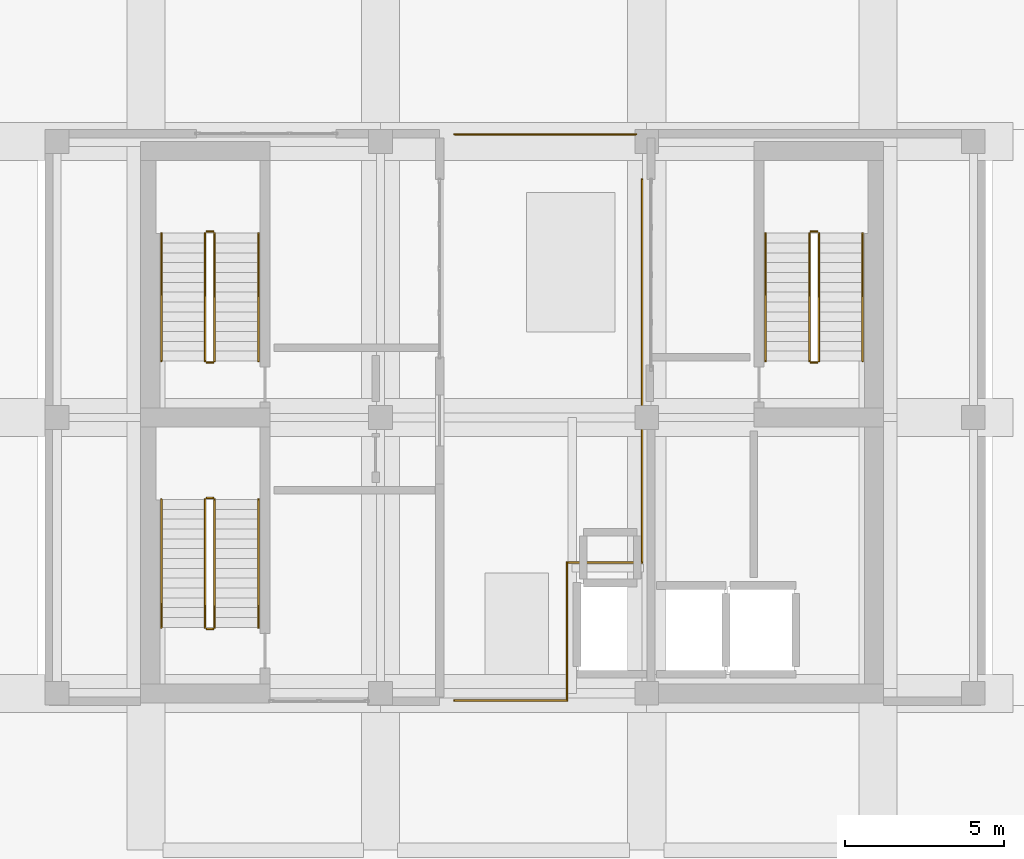
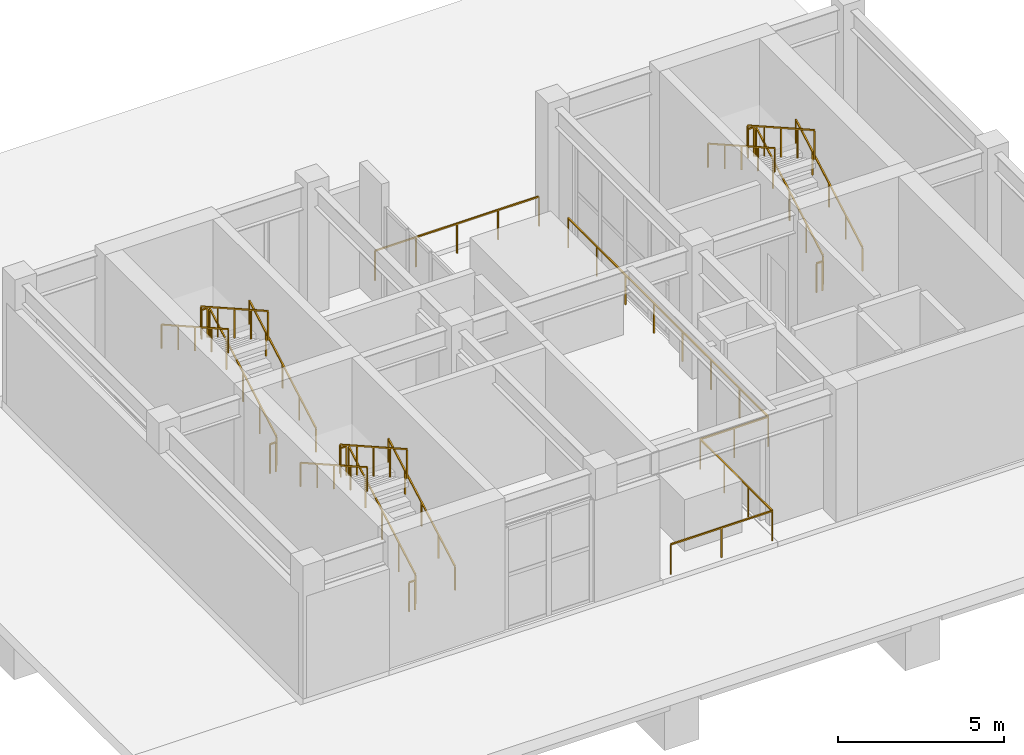
# One storey, part 15 of 16: 21 railings.
"""IFC4 building model written with IfcOpenShell, lengths in metres."""

from ifc_helpers import new_model, si_unit, direction, frame, origin, origin_2d, place, context, subcontext, project, spatial, rectangle, extrude, material, type_object, element, save


model = new_model("IFC4")

# Units and contexts
model_context = context("Model", 3, precision=1e-05, world=origin(), true_north=direction((0.0, 1.0)))
body_context = subcontext(model_context, "Body", "Model", "MODEL_VIEW")
ifc_project = project(units=[si_unit("LENGTHUNIT", "METRE"), si_unit("AREAUNIT", "SQUARE_METRE"), si_unit("VOLUMEUNIT", "CUBIC_METRE"), si_unit("PLANEANGLEUNIT", "RADIAN"), si_unit("MASSUNIT", "GRAM", prefix="KILO")], contexts=[model_context])

# Site, building, storey
site_placement = place(None, origin())
site = spatial("IfcSite", under=ifc_project, at=site_placement, CompositionType="ELEMENT")
building_placement = place(site_placement, origin())
building = spatial("IfcBuilding", under=site, at=building_placement, Name="Solanera Arch Residences", CompositionType="ELEMENT")
storey_placement = place(building_placement, frame((0.0, 0.0, 278.080078125)))
storey = spatial("IfcBuildingStorey", under=building, at=storey_placement, Name="L80", CompositionType="ELEMENT", Elevation=278.080078125)

# Railings
ifc_material_1 = material(Name="Steel S355 (ASTM A992 / A572 Grade 50)", Category="steel")
railing_type_1 = type_object("IfcRailingType", Name="Balustrade Railing BL-1100", PredefinedType="BALUSTRADE", material=ifc_material_1)
railing_1_placement = place(storey_placement, frame((23.139892578125, 21.77001953125, 0.0)))
element("IfcRailing", 1, at=railing_1_placement, inside=storey, type_object=railing_type_1, Name="L80 Cleft Lookout South Guardrail 1", PredefinedType="BALUSTRADE", context=body_context, shape_type="SweptSolid", body=[
    extrude(rectangle(XDim=0.048095703125, YDim=0.048095703125, at=origin_2d()), frame((0.0, 0.0, 1.09619140625), z_axis=(1.0, 0.0, 0.0), x_axis=(0.0, 1.0, 0.0)), (0.0, 0.0, 1.0), 3.5400390625),
    extrude(rectangle(XDim=0.0419921875, YDim=0.0419921875, at=origin_2d()), origin(), (0.0, 0.0, 1.0), 1.072021484375),
    extrude(rectangle(XDim=0.0419921875, YDim=0.0419921875, at=origin_2d()), frame((1.77001953125, 0.0, 0.0)), (0.0, 0.0, 1.0), 1.072021484375),
    extrude(rectangle(XDim=0.0419921875, YDim=0.0419921875, at=origin_2d()), frame((3.5400390625, 0.0, 0.0)), (0.0, 0.0, 1.0), 1.072021484375),
])
railing_2_placement = place(storey_placement, frame((23.139892578125, 39.6298828125, 0.0)))
element("IfcRailing", 2, at=railing_2_placement, inside=storey, type_object=railing_type_1, Name="L80 Cleft Lookout North Guardrail 1", PredefinedType="BALUSTRADE", context=body_context, shape_type="SweptSolid", body=[
    extrude(rectangle(XDim=0.048095703125, YDim=0.048095703125, at=origin_2d()), frame((0.0, 0.0, 1.09619140625), z_axis=(1.0, 0.0, 0.0), x_axis=(0.0, 1.0, 0.0)), (0.0, 0.0, 1.0), 5.72021484375),
    extrude(rectangle(XDim=0.0419921875, YDim=0.0419921875, at=origin_2d()), origin(), (0.0, 0.0, 1.0), 1.072021484375),
    extrude(rectangle(XDim=0.0419921875, YDim=0.0419921875, at=origin_2d()), frame((1.43017578125, 0.0, 0.0)), (0.0, 0.0, 1.0), 1.072021484375),
    extrude(rectangle(XDim=0.0419921875, YDim=0.0419921875, at=origin_2d()), frame((2.860107421875, 0.0, 0.0)), (0.0, 0.0, 1.0), 1.072021484375),
    extrude(rectangle(XDim=0.0419921875, YDim=0.0419921875, at=origin_2d()), frame((4.2900390625, 0.0, 0.0)), (0.0, 0.0, 1.0), 1.072021484375),
    extrude(rectangle(XDim=0.0419921875, YDim=0.0419921875, at=origin_2d()), frame((5.72021484375, 0.0, 0.0)), (0.0, 0.0, 1.0), 1.072021484375),
])
railing_3_placement = place(storey_placement, frame((26.679931640625, 21.77001953125, 0.0)))
element("IfcRailing", 3, at=railing_3_placement, inside=storey, type_object=railing_type_1, Name="L80 Cleft Lookout East Guardrail 1", PredefinedType="BALUSTRADE", context=body_context, shape_type="SweptSolid", body=[
    extrude(rectangle(XDim=0.048095703125, YDim=0.048095703125, at=origin_2d()), frame((0.0, 0.0, 1.09619140625), z_axis=(0.0, 1.0, 0.0), x_axis=(-1.0, 0.0, 0.0)), (0.0, 0.0, 1.0), 4.35009765625),
    extrude(rectangle(XDim=0.048095703125, YDim=0.048095703125, at=origin_2d()), frame((0.0, 4.35009765625, 1.09619140625), z_axis=(1.0, 0.0, 0.0), x_axis=(0.0, 1.0, 0.0)), (0.0, 0.0, 1.0), 2.3701171875),
    extrude(rectangle(XDim=0.048095703125, YDim=0.048095703125, at=origin_2d()), frame((2.3701171875, 4.35009765625, 1.09619140625), z_axis=(0.0, 1.0, 0.0), x_axis=(-1.0, 0.0, 0.0)), (0.0, 0.0, 1.0), 12.079833984375),
    extrude(rectangle(XDim=0.0419921875, YDim=0.0419921875, at=origin_2d()), origin(), (0.0, 0.0, 1.0), 1.072021484375),
    extrude(rectangle(XDim=0.0419921875, YDim=0.0419921875, at=origin_2d()), frame((0.0, 1.449951171875, 0.0)), (0.0, 0.0, 1.0), 1.072021484375),
    extrude(rectangle(XDim=0.0419921875, YDim=0.0419921875, at=origin_2d()), frame((0.0, 2.900146484375, 0.0)), (0.0, 0.0, 1.0), 1.072021484375),
    extrude(rectangle(XDim=0.0419921875, YDim=0.0419921875, at=origin_2d()), frame((0.0, 4.35009765625, 0.0)), (0.0, 0.0, 1.0), 1.072021484375),
    extrude(rectangle(XDim=0.0419921875, YDim=0.0419921875, at=origin_2d()), frame((1.18505859375, 4.35009765625, 0.0)), (0.0, 0.0, 1.0), 1.072021484375),
    extrude(rectangle(XDim=0.0419921875, YDim=0.0419921875, at=origin_2d()), frame((2.3701171875, 4.35009765625, 0.0)), (0.0, 0.0, 1.0), 1.072021484375),
    extrude(rectangle(XDim=0.0419921875, YDim=0.0419921875, at=origin_2d()), frame((2.3701171875, 6.07568359375, 0.0)), (0.0, 0.0, 1.0), 1.072021484375),
    extrude(rectangle(XDim=0.0419921875, YDim=0.0419921875, at=origin_2d()), frame((2.3701171875, 7.801513671875, 0.0)), (0.0, 0.0, 1.0), 1.072021484375),
    extrude(rectangle(XDim=0.0419921875, YDim=0.0419921875, at=origin_2d()), frame((2.3701171875, 9.527099609375, 0.0)), (0.0, 0.0, 1.0), 1.072021484375),
    extrude(rectangle(XDim=0.0419921875, YDim=0.0419921875, at=origin_2d()), frame((2.3701171875, 11.2529296875, 0.0)), (0.0, 0.0, 1.0), 1.072021484375),
    extrude(rectangle(XDim=0.0419921875, YDim=0.0419921875, at=origin_2d()), frame((2.3701171875, 12.978515625, 0.0)), (0.0, 0.0, 1.0), 1.072021484375),
    extrude(rectangle(XDim=0.0419921875, YDim=0.0419921875, at=origin_2d()), frame((2.3701171875, 14.704345703125, 0.0)), (0.0, 0.0, 1.0), 1.072021484375),
    extrude(rectangle(XDim=0.0419921875, YDim=0.0419921875, at=origin_2d()), frame((2.3701171875, 16.429931640625, 0.0)), (0.0, 0.0, 1.0), 1.072021484375),
])
ifc_material_2 = material(Name="Steel S355 (ASTM A992 / A572 Grade 50)", Category="steel")
railing_type_2 = type_object("IfcRailingType", Name="Stair Guardrail GR-1100", PredefinedType="GUARDRAIL", material=ifc_material_2)
railing_4_placement = place(storey_placement, frame((15.570068359375, 32.47998046875, 0.159912109375)))
element("IfcRailing", 4, at=railing_4_placement, inside=storey, type_object=railing_type_2, Name="L80 ST-T1 stair guard 1", PredefinedType="GUARDRAIL", context=body_context, shape_type="SweptSolid", body=[
    extrude(rectangle(XDim=0.048095703125, YDim=0.048095703125, at=origin_2d()), frame((0.0, 0.0, 1.076171875), z_axis=(0.0, 0.870834872482, 0.491575655285), x_axis=(-1.0, 0.0, 0.0)), (0.0, 0.0, 1.0), 4.627685546875),
    extrude(rectangle(XDim=0.0419921875, YDim=0.0419921875, at=origin_2d()), origin(), (0.0, 0.0, 1.0), 1.052001953125),
    extrude(rectangle(XDim=0.0419921875, YDim=0.0419921875, at=origin_2d()), frame((0.0, 1.007568359375, 0.56884765625)), (0.0, 0.0, 1.0), 1.052001953125),
    extrude(rectangle(XDim=0.0419921875, YDim=0.0419921875, at=origin_2d()), frame((0.0, 2.01513671875, 1.137451171875)), (0.0, 0.0, 1.0), 1.052001953125),
    extrude(rectangle(XDim=0.0419921875, YDim=0.0419921875, at=origin_2d()), frame((0.0, 3.0224609375, 1.7060546875)), (0.0, 0.0, 1.0), 1.052001953125),
    extrude(rectangle(XDim=0.0419921875, YDim=0.0419921875, at=origin_2d()), frame((0.0, 4.030029296875, 2.27490234375)), (0.0, 0.0, 1.0), 1.052001953125),
])
railing_5_placement = place(storey_placement, frame((15.52001953125, 36.56005859375, 2.434814453125)))
element("IfcRailing", 5, at=railing_5_placement, inside=storey, type_object=railing_type_2, Name="L80 ST-T1 stair guard 2", PredefinedType="GUARDRAIL", context=body_context, shape_type="SweptSolid", body=[
    extrude(rectangle(XDim=0.048095703125, YDim=0.048095703125, at=origin_2d()), frame((0.0, 0.0, 1.076171875), z_axis=(-1.0, 0.0, 0.0), x_axis=(0.0, -1.0, 0.0)), (0.0, 0.0, 1.0), 0.199951171875),
    extrude(rectangle(XDim=0.0419921875, YDim=0.0419921875, at=origin_2d()), origin(), (0.0, 0.0, 1.0), 1.052001953125),
    extrude(rectangle(XDim=0.0419921875, YDim=0.0419921875, at=origin_2d()), frame((-0.199951171875, 0.0, 0.0)), (0.0, 0.0, 1.0), 1.052001953125),
])
railing_6_placement = place(storey_placement, frame((15.27001953125, 36.510009765625, 2.60986328125)))
element("IfcRailing", 6, at=railing_6_placement, inside=storey, type_object=railing_type_2, Name="L80 ST-T1 stair guard 3", PredefinedType="GUARDRAIL", context=body_context, shape_type="SweptSolid", body=[
    extrude(rectangle(XDim=0.048095703125, YDim=0.048095703125, at=origin_2d()), frame((0.0, 0.0, 1.076171875), z_axis=(0.0, -0.870812288514, 0.491615661033), x_axis=(1.0, 0.0, 0.0)), (0.0, 0.0, 1.0), 4.6279296875),
    extrude(rectangle(XDim=0.0419921875, YDim=0.0419921875, at=origin_2d()), origin(), (0.0, 0.0, 1.0), 1.052001953125),
    extrude(rectangle(XDim=0.0419921875, YDim=0.0419921875, at=origin_2d()), frame((0.0, -1.007568359375, 0.56884765625)), (0.0, 0.0, 1.0), 1.052001953125),
    extrude(rectangle(XDim=0.0419921875, YDim=0.0419921875, at=origin_2d()), frame((0.0, -2.01513671875, 1.1376953125)), (0.0, 0.0, 1.0), 1.052001953125),
    extrude(rectangle(XDim=0.0419921875, YDim=0.0419921875, at=origin_2d()), frame((0.0, -3.0224609375, 1.706298828125)), (0.0, 0.0, 1.0), 1.052001953125),
    extrude(rectangle(XDim=0.0419921875, YDim=0.0419921875, at=origin_2d()), frame((0.0, -4.030029296875, 2.275146484375)), (0.0, 0.0, 1.0), 1.052001953125),
])
railing_7_placement = place(storey_placement, frame((15.52001953125, 32.429931640625, -0.01513671875)))
element("IfcRailing", 7, at=railing_7_placement, inside=storey, type_object=railing_type_2, Name="L80 ST-T1 stair guard 4", PredefinedType="GUARDRAIL", context=body_context, shape_type="SweptSolid", body=[
    extrude(rectangle(XDim=0.048095703125, YDim=0.048095703125, at=origin_2d()), frame((0.0, 0.0, 1.076171875), z_axis=(-1.0, 0.0, 0.0), x_axis=(0.0, -1.0, 0.0)), (0.0, 0.0, 1.0), 0.199951171875),
    extrude(rectangle(XDim=0.0419921875, YDim=0.0419921875, at=origin_2d()), origin(), (0.0, 0.0, 1.0), 1.052001953125),
    extrude(rectangle(XDim=0.0419921875, YDim=0.0419921875, at=origin_2d()), frame((-0.199951171875, 0.0, 0.0)), (0.0, 0.0, 1.0), 1.052001953125),
])
railing_8_placement = place(storey_placement, frame((34.6298828125, 32.47998046875, 0.159912109375)))
element("IfcRailing", 8, at=railing_8_placement, inside=storey, type_object=railing_type_2, Name="L80 ST-T2 stair guard 1", PredefinedType="GUARDRAIL", context=body_context, shape_type="SweptSolid", body=[
    extrude(rectangle(XDim=0.048095703125, YDim=0.048095703125, at=origin_2d()), frame((0.0, 0.0, 1.076171875), z_axis=(0.0, 0.870834872482, 0.491575655285), x_axis=(-1.0, 0.0, 0.0)), (0.0, 0.0, 1.0), 4.627685546875),
    extrude(rectangle(XDim=0.0419921875, YDim=0.0419921875, at=origin_2d()), origin(), (0.0, 0.0, 1.0), 1.052001953125),
    extrude(rectangle(XDim=0.0419921875, YDim=0.0419921875, at=origin_2d()), frame((0.0, 1.007568359375, 0.56884765625)), (0.0, 0.0, 1.0), 1.052001953125),
    extrude(rectangle(XDim=0.0419921875, YDim=0.0419921875, at=origin_2d()), frame((0.0, 2.01513671875, 1.137451171875)), (0.0, 0.0, 1.0), 1.052001953125),
    extrude(rectangle(XDim=0.0419921875, YDim=0.0419921875, at=origin_2d()), frame((0.0, 3.0224609375, 1.7060546875)), (0.0, 0.0, 1.0), 1.052001953125),
    extrude(rectangle(XDim=0.0419921875, YDim=0.0419921875, at=origin_2d()), frame((0.0, 4.030029296875, 2.27490234375)), (0.0, 0.0, 1.0), 1.052001953125),
])
railing_9_placement = place(storey_placement, frame((34.580078125, 36.56005859375, 2.434814453125)))
element("IfcRailing", 9, at=railing_9_placement, inside=storey, type_object=railing_type_2, Name="L80 ST-T2 stair guard 2", PredefinedType="GUARDRAIL", context=body_context, shape_type="SweptSolid", body=[
    extrude(rectangle(XDim=0.048095703125, YDim=0.048095703125, at=origin_2d()), frame((0.0, 0.0, 1.076171875), z_axis=(-1.0, 0.0, 0.0), x_axis=(0.0, -1.0, 0.0)), (0.0, 0.0, 1.0), 0.2001953125),
    extrude(rectangle(XDim=0.0419921875, YDim=0.0419921875, at=origin_2d()), origin(), (0.0, 0.0, 1.0), 1.052001953125),
    extrude(rectangle(XDim=0.0419921875, YDim=0.0419921875, at=origin_2d()), frame((-0.2001953125, 0.0, 0.0)), (0.0, 0.0, 1.0), 1.052001953125),
])
railing_10_placement = place(storey_placement, frame((34.330078125, 36.510009765625, 2.60986328125)))
element("IfcRailing", 10, at=railing_10_placement, inside=storey, type_object=railing_type_2, Name="L80 ST-T2 stair guard 3", PredefinedType="GUARDRAIL", context=body_context, shape_type="SweptSolid", body=[
    extrude(rectangle(XDim=0.048095703125, YDim=0.048095703125, at=origin_2d()), frame((0.0, 0.0, 1.076171875), z_axis=(0.0, -0.870812288514, 0.491615661033), x_axis=(1.0, 0.0, 0.0)), (0.0, 0.0, 1.0), 4.6279296875),
    extrude(rectangle(XDim=0.0419921875, YDim=0.0419921875, at=origin_2d()), origin(), (0.0, 0.0, 1.0), 1.052001953125),
    extrude(rectangle(XDim=0.0419921875, YDim=0.0419921875, at=origin_2d()), frame((0.0, -1.007568359375, 0.56884765625)), (0.0, 0.0, 1.0), 1.052001953125),
    extrude(rectangle(XDim=0.0419921875, YDim=0.0419921875, at=origin_2d()), frame((0.0, -2.01513671875, 1.1376953125)), (0.0, 0.0, 1.0), 1.052001953125),
    extrude(rectangle(XDim=0.0419921875, YDim=0.0419921875, at=origin_2d()), frame((0.0, -3.0224609375, 1.706298828125)), (0.0, 0.0, 1.0), 1.052001953125),
    extrude(rectangle(XDim=0.0419921875, YDim=0.0419921875, at=origin_2d()), frame((0.0, -4.030029296875, 2.275146484375)), (0.0, 0.0, 1.0), 1.052001953125),
])
railing_11_placement = place(storey_placement, frame((34.580078125, 32.429931640625, -0.01513671875)))
element("IfcRailing", 11, at=railing_11_placement, inside=storey, type_object=railing_type_2, Name="L80 ST-T2 stair guard 4", PredefinedType="GUARDRAIL", context=body_context, shape_type="SweptSolid", body=[
    extrude(rectangle(XDim=0.048095703125, YDim=0.048095703125, at=origin_2d()), frame((0.0, 0.0, 1.076171875), z_axis=(-1.0, 0.0, 0.0), x_axis=(0.0, -1.0, 0.0)), (0.0, 0.0, 1.0), 0.2001953125),
    extrude(rectangle(XDim=0.0419921875, YDim=0.0419921875, at=origin_2d()), origin(), (0.0, 0.0, 1.0), 1.052001953125),
    extrude(rectangle(XDim=0.0419921875, YDim=0.0419921875, at=origin_2d()), frame((-0.2001953125, 0.0, 0.0)), (0.0, 0.0, 1.0), 1.052001953125),
])
railing_12_placement = place(storey_placement, frame((15.570068359375, 24.080078125, 0.159912109375)))
element("IfcRailing", 12, at=railing_12_placement, inside=storey, type_object=railing_type_2, Name="L80 ST-T3 stair guard 1", PredefinedType="GUARDRAIL", context=body_context, shape_type="SweptSolid", body=[
    extrude(rectangle(XDim=0.048095703125, YDim=0.048095703125, at=origin_2d()), frame((0.0, 0.0, 1.076171875), z_axis=(0.0, 0.870834872482, 0.491575655285), x_axis=(-1.0, 0.0, 0.0)), (0.0, 0.0, 1.0), 4.627685546875),
    extrude(rectangle(XDim=0.0419921875, YDim=0.0419921875, at=origin_2d()), origin(), (0.0, 0.0, 1.0), 1.052001953125),
    extrude(rectangle(XDim=0.0419921875, YDim=0.0419921875, at=origin_2d()), frame((0.0, 1.007568359375, 0.56884765625)), (0.0, 0.0, 1.0), 1.052001953125),
    extrude(rectangle(XDim=0.0419921875, YDim=0.0419921875, at=origin_2d()), frame((0.0, 2.01513671875, 1.137451171875)), (0.0, 0.0, 1.0), 1.052001953125),
    extrude(rectangle(XDim=0.0419921875, YDim=0.0419921875, at=origin_2d()), frame((0.0, 3.0224609375, 1.7060546875)), (0.0, 0.0, 1.0), 1.052001953125),
    extrude(rectangle(XDim=0.0419921875, YDim=0.0419921875, at=origin_2d()), frame((0.0, 4.030029296875, 2.27490234375)), (0.0, 0.0, 1.0), 1.052001953125),
])
railing_13_placement = place(storey_placement, frame((15.52001953125, 28.159912109375, 2.434814453125)))
element("IfcRailing", 13, at=railing_13_placement, inside=storey, type_object=railing_type_2, Name="L80 ST-T3 stair guard 2", PredefinedType="GUARDRAIL", context=body_context, shape_type="SweptSolid", body=[
    extrude(rectangle(XDim=0.048095703125, YDim=0.048095703125, at=origin_2d()), frame((0.0, 0.0, 1.076171875), z_axis=(-1.0, 0.0, 0.0), x_axis=(0.0, -1.0, 0.0)), (0.0, 0.0, 1.0), 0.199951171875),
    extrude(rectangle(XDim=0.0419921875, YDim=0.0419921875, at=origin_2d()), origin(), (0.0, 0.0, 1.0), 1.052001953125),
    extrude(rectangle(XDim=0.0419921875, YDim=0.0419921875, at=origin_2d()), frame((-0.199951171875, 0.0, 0.0)), (0.0, 0.0, 1.0), 1.052001953125),
])
railing_14_placement = place(storey_placement, frame((15.27001953125, 28.110107421875, 2.60986328125)))
element("IfcRailing", 14, at=railing_14_placement, inside=storey, type_object=railing_type_2, Name="L80 ST-T3 stair guard 3", PredefinedType="GUARDRAIL", context=body_context, shape_type="SweptSolid", body=[
    extrude(rectangle(XDim=0.048095703125, YDim=0.048095703125, at=origin_2d()), frame((0.0, 0.0, 1.076171875), z_axis=(0.0, -0.870812288514, 0.491615661033), x_axis=(1.0, 0.0, 0.0)), (0.0, 0.0, 1.0), 4.6279296875),
    extrude(rectangle(XDim=0.0419921875, YDim=0.0419921875, at=origin_2d()), origin(), (0.0, 0.0, 1.0), 1.052001953125),
    extrude(rectangle(XDim=0.0419921875, YDim=0.0419921875, at=origin_2d()), frame((0.0, -1.007568359375, 0.56884765625)), (0.0, 0.0, 1.0), 1.052001953125),
    extrude(rectangle(XDim=0.0419921875, YDim=0.0419921875, at=origin_2d()), frame((0.0, -2.01513671875, 1.1376953125)), (0.0, 0.0, 1.0), 1.052001953125),
    extrude(rectangle(XDim=0.0419921875, YDim=0.0419921875, at=origin_2d()), frame((0.0, -3.0224609375, 1.706298828125)), (0.0, 0.0, 1.0), 1.052001953125),
    extrude(rectangle(XDim=0.0419921875, YDim=0.0419921875, at=origin_2d()), frame((0.0, -4.030029296875, 2.275146484375)), (0.0, 0.0, 1.0), 1.052001953125),
])
railing_15_placement = place(storey_placement, frame((15.52001953125, 24.030029296875, -0.01513671875)))
element("IfcRailing", 15, at=railing_15_placement, inside=storey, type_object=railing_type_2, Name="L80 ST-T3 stair guard 4", PredefinedType="GUARDRAIL", context=body_context, shape_type="SweptSolid", body=[
    extrude(rectangle(XDim=0.048095703125, YDim=0.048095703125, at=origin_2d()), frame((0.0, 0.0, 1.076171875), z_axis=(-1.0, 0.0, 0.0), x_axis=(0.0, -1.0, 0.0)), (0.0, 0.0, 1.0), 0.199951171875),
    extrude(rectangle(XDim=0.0419921875, YDim=0.0419921875, at=origin_2d()), origin(), (0.0, 0.0, 1.0), 1.052001953125),
    extrude(rectangle(XDim=0.0419921875, YDim=0.0419921875, at=origin_2d()), frame((-0.199951171875, 0.0, 0.0)), (0.0, 0.0, 1.0), 1.052001953125),
])
ifc_material_3 = material(Name="Steel S355 (ASTM A992 / A572 Grade 50)", Category="steel")
railing_type_3 = type_object("IfcRailingType", Name="Stair Wall Handrail HR-920", PredefinedType="HANDRAIL", material=ifc_material_3)
railing_16_placement = place(storey_placement, frame((16.949951171875, 32.47998046875, 0.1748046875)))
element("IfcRailing", 16, at=railing_16_placement, inside=storey, type_object=railing_type_3, Name="L80 ST-T1 stair handrail 1", PredefinedType="HANDRAIL", context=body_context, shape_type="SweptSolid", body=[
    extrude(rectangle(XDim=0.048095703125, YDim=0.048095703125, at=origin_2d()), frame((0.0, 0.0, 0.8759765625), z_axis=(0.0, 0.870812288514, 0.491615661033), x_axis=(-1.0, 0.0, 0.0)), (0.0, 0.0, 1.0), 4.6279296875),
    extrude(rectangle(XDim=0.0419921875, YDim=0.0419921875, at=origin_2d()), origin(), (0.0, 0.0, 1.0), 0.851806640625),
    extrude(rectangle(XDim=0.0419921875, YDim=0.0419921875, at=origin_2d()), frame((0.0, 1.007568359375, 0.56884765625)), (0.0, 0.0, 1.0), 0.851806640625),
    extrude(rectangle(XDim=0.0419921875, YDim=0.0419921875, at=origin_2d()), frame((0.0, 2.01513671875, 1.1376953125)), (0.0, 0.0, 1.0), 0.851806640625),
    extrude(rectangle(XDim=0.0419921875, YDim=0.0419921875, at=origin_2d()), frame((0.0, 3.0224609375, 1.706298828125)), (0.0, 0.0, 1.0), 0.851806640625),
    extrude(rectangle(XDim=0.0419921875, YDim=0.0419921875, at=origin_2d()), frame((0.0, 4.030029296875, 2.275146484375)), (0.0, 0.0, 1.0), 0.851806640625),
])
railing_17_placement = place(storey_placement, frame((13.889892578125, 36.510009765625, 2.625)))
element("IfcRailing", 17, at=railing_17_placement, inside=storey, type_object=railing_type_3, Name="L80 ST-T1 stair handrail 2", PredefinedType="HANDRAIL", context=body_context, shape_type="SweptSolid", body=[
    extrude(rectangle(XDim=0.048095703125, YDim=0.048095703125, at=origin_2d()), frame((0.0, 0.0, 0.8759765625), z_axis=(0.0, -0.870834872482, 0.491575655285), x_axis=(1.0, 0.0, 0.0)), (0.0, 0.0, 1.0), 4.627685546875),
    extrude(rectangle(XDim=0.0419921875, YDim=0.0419921875, at=origin_2d()), origin(), (0.0, 0.0, 1.0), 0.851806640625),
    extrude(rectangle(XDim=0.0419921875, YDim=0.0419921875, at=origin_2d()), frame((0.0, -1.007568359375, 0.56884765625)), (0.0, 0.0, 1.0), 0.851806640625),
    extrude(rectangle(XDim=0.0419921875, YDim=0.0419921875, at=origin_2d()), frame((0.0, -2.01513671875, 1.137451171875)), (0.0, 0.0, 1.0), 0.851806640625),
    extrude(rectangle(XDim=0.0419921875, YDim=0.0419921875, at=origin_2d()), frame((0.0, -3.0224609375, 1.7060546875)), (0.0, 0.0, 1.0), 0.851806640625),
    extrude(rectangle(XDim=0.0419921875, YDim=0.0419921875, at=origin_2d()), frame((0.0, -4.030029296875, 2.27490234375)), (0.0, 0.0, 1.0), 0.851806640625),
])
railing_18_placement = place(storey_placement, frame((36.010009765625, 32.47998046875, 0.1748046875)))
element("IfcRailing", 18, at=railing_18_placement, inside=storey, type_object=railing_type_3, Name="L80 ST-T2 stair handrail 1", PredefinedType="HANDRAIL", context=body_context, shape_type="SweptSolid", body=[
    extrude(rectangle(XDim=0.048095703125, YDim=0.048095703125, at=origin_2d()), frame((0.0, 0.0, 0.8759765625), z_axis=(0.0, 0.870812288514, 0.491615661033), x_axis=(-1.0, 0.0, 0.0)), (0.0, 0.0, 1.0), 4.6279296875),
    extrude(rectangle(XDim=0.0419921875, YDim=0.0419921875, at=origin_2d()), origin(), (0.0, 0.0, 1.0), 0.851806640625),
    extrude(rectangle(XDim=0.0419921875, YDim=0.0419921875, at=origin_2d()), frame((0.0, 1.007568359375, 0.56884765625)), (0.0, 0.0, 1.0), 0.851806640625),
    extrude(rectangle(XDim=0.0419921875, YDim=0.0419921875, at=origin_2d()), frame((0.0, 2.01513671875, 1.1376953125)), (0.0, 0.0, 1.0), 0.851806640625),
    extrude(rectangle(XDim=0.0419921875, YDim=0.0419921875, at=origin_2d()), frame((0.0, 3.0224609375, 1.706298828125)), (0.0, 0.0, 1.0), 0.851806640625),
    extrude(rectangle(XDim=0.0419921875, YDim=0.0419921875, at=origin_2d()), frame((0.0, 4.030029296875, 2.275146484375)), (0.0, 0.0, 1.0), 0.851806640625),
])
railing_19_placement = place(storey_placement, frame((32.949951171875, 36.510009765625, 2.625)))
element("IfcRailing", 19, at=railing_19_placement, inside=storey, type_object=railing_type_3, Name="L80 ST-T2 stair handrail 2", PredefinedType="HANDRAIL", context=body_context, shape_type="SweptSolid", body=[
    extrude(rectangle(XDim=0.048095703125, YDim=0.048095703125, at=origin_2d()), frame((0.0, 0.0, 0.8759765625), z_axis=(0.0, -0.870834872482, 0.491575655285), x_axis=(1.0, 0.0, 0.0)), (0.0, 0.0, 1.0), 4.627685546875),
    extrude(rectangle(XDim=0.0419921875, YDim=0.0419921875, at=origin_2d()), origin(), (0.0, 0.0, 1.0), 0.851806640625),
    extrude(rectangle(XDim=0.0419921875, YDim=0.0419921875, at=origin_2d()), frame((0.0, -1.007568359375, 0.56884765625)), (0.0, 0.0, 1.0), 0.851806640625),
    extrude(rectangle(XDim=0.0419921875, YDim=0.0419921875, at=origin_2d()), frame((0.0, -2.01513671875, 1.137451171875)), (0.0, 0.0, 1.0), 0.851806640625),
    extrude(rectangle(XDim=0.0419921875, YDim=0.0419921875, at=origin_2d()), frame((0.0, -3.0224609375, 1.7060546875)), (0.0, 0.0, 1.0), 0.851806640625),
    extrude(rectangle(XDim=0.0419921875, YDim=0.0419921875, at=origin_2d()), frame((0.0, -4.030029296875, 2.27490234375)), (0.0, 0.0, 1.0), 0.851806640625),
])
railing_20_placement = place(storey_placement, frame((16.949951171875, 24.080078125, 0.1748046875)))
element("IfcRailing", 20, at=railing_20_placement, inside=storey, type_object=railing_type_3, Name="L80 ST-T3 stair handrail 1", PredefinedType="HANDRAIL", context=body_context, shape_type="SweptSolid", body=[
    extrude(rectangle(XDim=0.048095703125, YDim=0.048095703125, at=origin_2d()), frame((0.0, 0.0, 0.8759765625), z_axis=(0.0, 0.870812288514, 0.491615661033), x_axis=(-1.0, 0.0, 0.0)), (0.0, 0.0, 1.0), 4.6279296875),
    extrude(rectangle(XDim=0.0419921875, YDim=0.0419921875, at=origin_2d()), origin(), (0.0, 0.0, 1.0), 0.851806640625),
    extrude(rectangle(XDim=0.0419921875, YDim=0.0419921875, at=origin_2d()), frame((0.0, 1.007568359375, 0.56884765625)), (0.0, 0.0, 1.0), 0.851806640625),
    extrude(rectangle(XDim=0.0419921875, YDim=0.0419921875, at=origin_2d()), frame((0.0, 2.01513671875, 1.1376953125)), (0.0, 0.0, 1.0), 0.851806640625),
    extrude(rectangle(XDim=0.0419921875, YDim=0.0419921875, at=origin_2d()), frame((0.0, 3.0224609375, 1.706298828125)), (0.0, 0.0, 1.0), 0.851806640625),
    extrude(rectangle(XDim=0.0419921875, YDim=0.0419921875, at=origin_2d()), frame((0.0, 4.030029296875, 2.275146484375)), (0.0, 0.0, 1.0), 0.851806640625),
])
railing_21_placement = place(storey_placement, frame((13.889892578125, 28.110107421875, 2.625)))
element("IfcRailing", 21, at=railing_21_placement, inside=storey, type_object=railing_type_3, Name="L80 ST-T3 stair handrail 2", PredefinedType="HANDRAIL", context=body_context, shape_type="SweptSolid", body=[
    extrude(rectangle(XDim=0.048095703125, YDim=0.048095703125, at=origin_2d()), frame((0.0, 0.0, 0.8759765625), z_axis=(0.0, -0.870834872482, 0.491575655285), x_axis=(1.0, 0.0, 0.0)), (0.0, 0.0, 1.0), 4.627685546875),
    extrude(rectangle(XDim=0.0419921875, YDim=0.0419921875, at=origin_2d()), origin(), (0.0, 0.0, 1.0), 0.851806640625),
    extrude(rectangle(XDim=0.0419921875, YDim=0.0419921875, at=origin_2d()), frame((0.0, -1.007568359375, 0.56884765625)), (0.0, 0.0, 1.0), 0.851806640625),
    extrude(rectangle(XDim=0.0419921875, YDim=0.0419921875, at=origin_2d()), frame((0.0, -2.01513671875, 1.137451171875)), (0.0, 0.0, 1.0), 0.851806640625),
    extrude(rectangle(XDim=0.0419921875, YDim=0.0419921875, at=origin_2d()), frame((0.0, -3.0224609375, 1.7060546875)), (0.0, 0.0, 1.0), 0.851806640625),
    extrude(rectangle(XDim=0.0419921875, YDim=0.0419921875, at=origin_2d()), frame((0.0, -4.030029296875, 2.27490234375)), (0.0, 0.0, 1.0), 0.851806640625),
])

save(model, "model.ifc")
